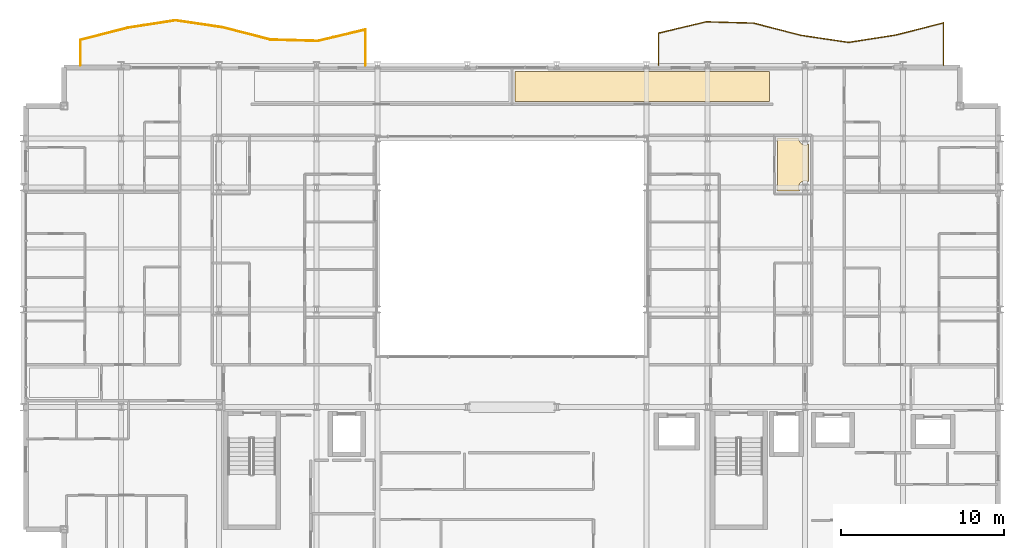
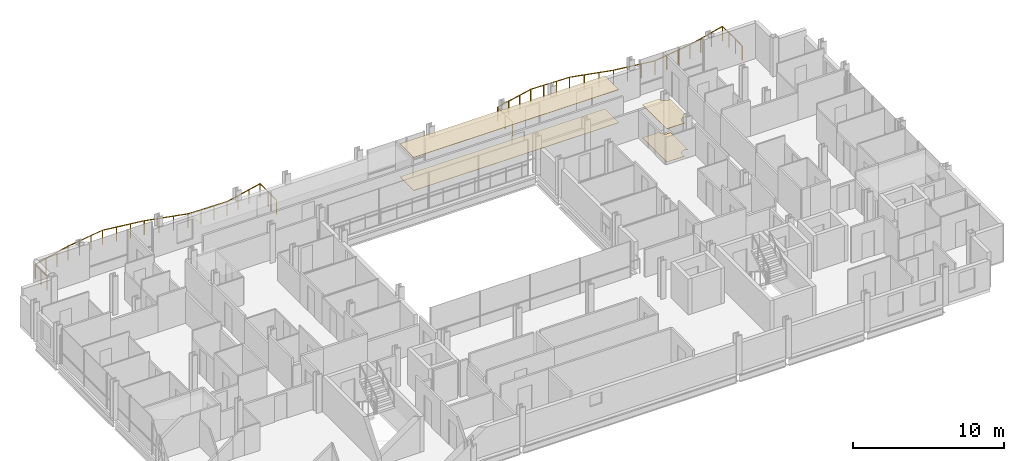
# One storey, part 41 of 41: 4 coverings, 2 railings.
"""IFC4 building model written with IfcOpenShell, lengths in metres."""

from ifc_helpers import new_model, si_unit, direction, frame, origin, origin_2d, place, context, subcontext, project, spatial, polyline, circle, outline, extrude, material, layer, layer_set, type_object, element, save


model = new_model("IFC4")

# Units and contexts
model_context = context("Model", 3, precision=1e-05, world=origin(), true_north=direction((0.0, 1.0)))
body_context = subcontext(model_context, "Body", "Model", "MODEL_VIEW")
ifc_project = project(units=[si_unit("LENGTHUNIT", "METRE"), si_unit("AREAUNIT", "SQUARE_METRE"), si_unit("VOLUMEUNIT", "CUBIC_METRE"), si_unit("PLANEANGLEUNIT", "RADIAN"), si_unit("MASSUNIT", "GRAM", prefix="KILO")], contexts=[model_context])

# Site, building, storey
site_placement = place(None, origin())
site = spatial("IfcSite", under=ifc_project, at=site_placement, CompositionType="ELEMENT")
building_placement = place(site_placement, origin())
building = spatial("IfcBuilding", under=site, at=building_placement, Name="Brevholm Reach", CompositionType="ELEMENT")
storey_placement = place(building_placement, frame((0.0, 0.0, 68.300048828125)))
storey = spatial("IfcBuildingStorey", under=building, at=storey_placement, Name="L19", CompositionType="ELEMENT", Elevation=68.300048828125)

# Coverings
ifc_material_1 = material(Name="Moisture-Resistant Skimmed Gypsum Plasterboard Ceiling", Category="gypsum")
ifc_layer_1 = layer(ifc_material_1, 0.030029296875)
ifc_layer_set_1 = layer_set([ifc_layer_1], Name="Moisture-Resistant Skimmed Gypsum Plasterboard Ceiling")
covering_type_1 = type_object("IfcCoveringType", Name="COV-CLG-GYP", PredefinedType="CEILING", material=ifc_layer_set_1)
covering_1_placement = place(storey_placement, frame((0.0, 0.0, 2.669921875)))
element("IfcCovering", 1, at=covering_1_placement, inside=storey, type_object=covering_type_1, Name="L19 Suspended Ceiling L19-62", PredefinedType="CEILING", context=body_context, shape_type="SweptSolid", body=[
    extrude(outline(polyline([(46.2919921875, 26.51611328125), (47.600830078125, 26.51611328125), (47.60009765625, 26.5), (47.601806640625, 26.460693359375), (47.607666015625, 26.422119140625), (47.6171875, 26.3837890625), (47.63037109375, 26.346923828125), (47.647216796875, 26.311279296875), (47.66748046875, 26.27783203125), (47.69091796875, 26.24609375), (47.71728515625, 26.21728515625), (47.74609375, 26.19091796875), (47.77783203125, 26.16748046875), (47.811279296875, 26.147216796875), (47.846923828125, 26.13037109375), (47.8837890625, 26.1171875), (47.922119140625, 26.107666015625), (47.960693359375, 26.101806640625), (48.0, 26.10009765625), (48.039306640625, 26.101806640625), (48.077880859375, 26.107666015625), (48.1162109375, 26.1171875), (48.153076171875, 26.13037109375), (48.188720703125, 26.147216796875), (48.216064453125, 26.163818359375), (48.216064453125, 23.836181640625), (48.188720703125, 23.852783203125), (48.153076171875, 23.86962890625), (48.1162109375, 23.8828125), (48.077880859375, 23.892333984375), (48.039306640625, 23.898193359375), (48.0, 23.89990234375), (47.960693359375, 23.898193359375), (47.922119140625, 23.892333984375), (47.8837890625, 23.8828125), (47.846923828125, 23.86962890625), (47.811279296875, 23.852783203125), (47.77783203125, 23.83251953125), (47.74609375, 23.80908203125), (47.71728515625, 23.78271484375), (47.69091796875, 23.75390625), (47.66748046875, 23.72216796875), (47.647216796875, 23.688720703125), (47.63037109375, 23.653076171875), (47.6171875, 23.6162109375), (47.607666015625, 23.577880859375), (47.601806640625, 23.539306640625), (47.60009765625, 23.5), (47.601806640625, 23.460693359375), (47.607666015625, 23.422119140625), (47.6171875, 23.3837890625), (47.63037109375, 23.346923828125), (47.647216796875, 23.311279296875), (47.666015625, 23.280029296875), (46.2919921875, 23.280029296875), (46.2919921875, 26.51611328125)])), origin(), (0.0, 0.0, 1.0), 0.030029296875),
])
covering_2_placement = place(storey_placement, frame((0.0, 0.0, 2.669921875)))
element("IfcCovering", 2, at=covering_2_placement, inside=storey, type_object=covering_type_1, Name="L19 Suspended Ceiling L19-79", PredefinedType="CEILING", context=body_context, shape_type="SweptSolid", body=[
    extrude(outline(polyline([(32.626220703125, 30.6201171875), (32.6337890625, 30.6171875), (32.672119140625, 30.607666015625), (32.710693359375, 30.601806640625), (32.75, 30.60009765625), (32.789306640625, 30.601806640625), (32.827880859375, 30.607666015625), (32.8662109375, 30.6171875), (32.873779296875, 30.6201171875), (38.126220703125, 30.6201171875), (38.1337890625, 30.6171875), (38.172119140625, 30.607666015625), (38.210693359375, 30.601806640625), (38.25, 30.60009765625), (38.289306640625, 30.601806640625), (38.327880859375, 30.607666015625), (38.3662109375, 30.6171875), (38.373779296875, 30.6201171875), (41.876220703125, 30.6201171875), (41.8837890625, 30.6171875), (41.922119140625, 30.607666015625), (41.960693359375, 30.601806640625), (42.0, 30.60009765625), (42.039306640625, 30.601806640625), (42.077880859375, 30.607666015625), (42.1162109375, 30.6171875), (42.123779296875, 30.6201171875), (45.820068359375, 30.6201171875), (45.820068359375, 28.783935546875), (30.18408203125, 28.783935546875), (30.18408203125, 30.6201171875), (32.626220703125, 30.6201171875)])), origin(), (0.0, 0.0, 1.0), 0.030029296875),
])
ifc_material_2 = material(Name="Engineered European Oak Acoustic Plank Flooring", Category="timber")
ifc_layer_2 = layer(ifc_material_2, 0.02197265625)
ifc_layer_set_2 = layer_set([ifc_layer_2], Name="Engineered European Oak Acoustic Plank Flooring")
covering_type_2 = type_object("IfcCoveringType", Name="COV-FLR-OAK", PredefinedType="FLOORING", material=ifc_layer_set_2)
covering_3_placement = place(storey_placement, origin())
element("IfcCovering", 3, at=covering_3_placement, inside=storey, type_object=covering_type_2, Name="L19 Floor Finish L19-62", PredefinedType="FLOORING", context=body_context, shape_type="SweptSolid", body=[
    extrude(outline(polyline([(46.2919921875, 26.51611328125), (47.600830078125, 26.51611328125), (47.60009765625, 26.5), (47.601806640625, 26.460693359375), (47.607666015625, 26.422119140625), (47.6171875, 26.3837890625), (47.63037109375, 26.346923828125), (47.647216796875, 26.311279296875), (47.66748046875, 26.27783203125), (47.69091796875, 26.24609375), (47.71728515625, 26.21728515625), (47.74609375, 26.19091796875), (47.77783203125, 26.16748046875), (47.811279296875, 26.147216796875), (47.846923828125, 26.13037109375), (47.8837890625, 26.1171875), (47.922119140625, 26.107666015625), (47.960693359375, 26.101806640625), (48.0, 26.10009765625), (48.039306640625, 26.101806640625), (48.077880859375, 26.107666015625), (48.1162109375, 26.1171875), (48.153076171875, 26.13037109375), (48.188720703125, 26.147216796875), (48.216064453125, 26.163818359375), (48.216064453125, 23.836181640625), (48.188720703125, 23.852783203125), (48.153076171875, 23.86962890625), (48.1162109375, 23.8828125), (48.077880859375, 23.892333984375), (48.039306640625, 23.898193359375), (48.0, 23.89990234375), (47.960693359375, 23.898193359375), (47.922119140625, 23.892333984375), (47.8837890625, 23.8828125), (47.846923828125, 23.86962890625), (47.811279296875, 23.852783203125), (47.77783203125, 23.83251953125), (47.74609375, 23.80908203125), (47.71728515625, 23.78271484375), (47.69091796875, 23.75390625), (47.66748046875, 23.72216796875), (47.647216796875, 23.688720703125), (47.63037109375, 23.653076171875), (47.6171875, 23.6162109375), (47.607666015625, 23.577880859375), (47.601806640625, 23.539306640625), (47.60009765625, 23.5), (47.601806640625, 23.460693359375), (47.607666015625, 23.422119140625), (47.6171875, 23.3837890625), (47.63037109375, 23.346923828125), (47.647216796875, 23.311279296875), (47.666015625, 23.280029296875), (46.2919921875, 23.280029296875), (46.2919921875, 26.51611328125)])), origin(), (0.0, 0.0, 1.0), 0.02197265625),
])
ifc_material_3 = material(Name="Honed Portland-Aggregate Resin Terrazzo Flooring", Category="concrete")
ifc_layer_3 = layer(ifc_material_3, 0.031982421875)
ifc_layer_set_3 = layer_set([ifc_layer_3], Name="Honed Portland-Aggregate Resin Terrazzo Flooring")
covering_type_3 = type_object("IfcCoveringType", Name="COV-FLR-TRZ", PredefinedType="FLOORING", material=ifc_layer_set_3)
covering_4_placement = place(storey_placement, origin())
element("IfcCovering", 4, at=covering_4_placement, inside=storey, type_object=covering_type_3, Name="L19 Floor Finish L19-79", PredefinedType="FLOORING", context=body_context, shape_type="SweptSolid", body=[
    extrude(outline(polyline([(32.626220703125, 30.6201171875), (32.6337890625, 30.6171875), (32.672119140625, 30.607666015625), (32.710693359375, 30.601806640625), (32.75, 30.60009765625), (32.789306640625, 30.601806640625), (32.827880859375, 30.607666015625), (32.8662109375, 30.6171875), (32.873779296875, 30.6201171875), (38.126220703125, 30.6201171875), (38.1337890625, 30.6171875), (38.172119140625, 30.607666015625), (38.210693359375, 30.601806640625), (38.25, 30.60009765625), (38.289306640625, 30.601806640625), (38.327880859375, 30.607666015625), (38.3662109375, 30.6171875), (38.373779296875, 30.6201171875), (41.876220703125, 30.6201171875), (41.8837890625, 30.6171875), (41.922119140625, 30.607666015625), (41.960693359375, 30.601806640625), (42.0, 30.60009765625), (42.039306640625, 30.601806640625), (42.077880859375, 30.607666015625), (42.1162109375, 30.6171875), (42.123779296875, 30.6201171875), (45.820068359375, 30.6201171875), (45.820068359375, 28.783935546875), (30.18408203125, 28.783935546875), (30.18408203125, 30.6201171875), (32.626220703125, 30.6201171875)])), origin(), (0.0, 0.0, 1.0), 0.031982421875),
])

# Railings
ifc_material_4 = material(Name="Brushed Stainless Steel EN 1.4401 and Laminated Glass", Category="steel")
railing_type = type_object("IfcRailingType", Name="RAL-BALC-1150", PredefinedType="BALUSTRADE", material=ifc_material_4)
railing_1_placement = place(storey_placement, frame((56.5, 31.0, 0.0)))
element("IfcRailing", 5, at=railing_1_placement, inside=storey, type_object=railing_type, Name="L19 Guard Balustrade RAL-L19-BAL-NE", PredefinedType="BALUSTRADE", context=body_context, shape_type="SweptSolid", body=[
    extrude(circle(Radius=0.02392578125, at=origin_2d()), frame((0.0, 0.0, 1.1259765625), z_axis=(0.0, 1.0, 0.0), x_axis=(-1.0, 0.0, 0.0)), (0.0, 0.0, 1.0), 2.599609375),
    extrude(circle(Radius=0.02392578125, at=origin_2d()), frame((0.0, 2.599609375, 1.1259765625), z_axis=(-0.968942936238, -0.247284423921, 0.0), x_axis=(0.247284423921, -0.968942936238, 0.0)), (0.0, 0.0, 1.0), 3.01025390625),
    extrude(circle(Radius=0.02392578125, at=origin_2d()), frame((-2.916748046875, 1.855224609375, 1.1259765625), z_axis=(-0.988044338858, -0.154169985571, 0.0), x_axis=(0.154169985571, -0.988044338858, 0.0)), (0.0, 0.0, 1.0), 2.951904296875),
    extrude(circle(Radius=0.02392578125, at=origin_2d()), frame((-5.833251953125, 1.400146484375, 1.1259765625), z_axis=(-0.98916653389, 0.146797711943, 0.0), x_axis=(-0.146797711943, -0.98916653389, 0.0)), (0.0, 0.0, 1.0), 2.94873046875),
    extrude(circle(Radius=0.02392578125, at=origin_2d()), frame((-8.75, 1.8330078125, 1.1259765625), z_axis=(-0.968377202247, 0.2494906695, 0.0), x_axis=(-0.2494906695, -0.968377202247, 0.0)), (0.0, 0.0, 1.0), 3.011962890625),
    extrude(circle(Radius=0.02392578125, at=origin_2d()), frame((-11.666748046875, 2.58447265625, 1.1259765625), z_axis=(-0.99961635372, 0.027697389342, 0.0), x_axis=(-0.027697389342, -0.99961635372, 0.0)), (0.0, 0.0, 1.0), 2.917724609375),
    extrude(circle(Radius=0.02392578125, at=origin_2d()), frame((-14.583251953125, 2.665283203125, 1.1259765625), z_axis=(-0.972705660557, -0.23204244853, 0.0), x_axis=(0.23204244853, -0.972705660557, 0.0)), (0.0, 0.0, 1.0), 2.99853515625),
    extrude(circle(Radius=0.02392578125, at=origin_2d()), frame((-17.5, 1.969482421875, 1.1259765625), z_axis=(0.0, -1.0, 0.0), x_axis=(1.0, 0.0, 0.0)), (0.0, 0.0, 1.0), 1.969482421875),
    extrude(circle(Radius=0.02099609375, at=origin_2d()), origin(), (0.0, 0.0, 1.0), 1.101806640625),
    extrude(circle(Radius=0.02099609375, at=origin_2d()), frame((0.0, 0.866455078125, 0.0)), (0.0, 0.0, 1.0), 1.101806640625),
    extrude(circle(Radius=0.02099609375, at=origin_2d()), frame((0.0, 1.733154296875, 0.0)), (0.0, 0.0, 1.0), 1.101806640625),
    extrude(circle(Radius=0.02099609375, at=origin_2d()), frame((0.0, 2.599609375, 0.0)), (0.0, 0.0, 1.0), 1.101806640625),
    extrude(circle(Radius=0.02099609375, at=origin_2d()), frame((-0.97216796875, 2.3515625, 0.0)), (0.0, 0.0, 1.0), 1.101806640625),
    extrude(circle(Radius=0.02099609375, at=origin_2d()), frame((-1.944580078125, 2.103271484375, 0.0)), (0.0, 0.0, 1.0), 1.101806640625),
    extrude(circle(Radius=0.02099609375, at=origin_2d()), frame((-2.916748046875, 1.855224609375, 0.0)), (0.0, 0.0, 1.0), 1.101806640625),
    extrude(circle(Radius=0.02099609375, at=origin_2d()), frame((-3.888916015625, 1.70361328125, 0.0)), (0.0, 0.0, 1.0), 1.101806640625),
    extrude(circle(Radius=0.02099609375, at=origin_2d()), frame((-4.861083984375, 1.5517578125, 0.0)), (0.0, 0.0, 1.0), 1.101806640625),
    extrude(circle(Radius=0.02099609375, at=origin_2d()), frame((-5.833251953125, 1.400146484375, 0.0)), (0.0, 0.0, 1.0), 1.101806640625),
    extrude(circle(Radius=0.02099609375, at=origin_2d()), frame((-6.805419921875, 1.54443359375, 0.0)), (0.0, 0.0, 1.0), 1.101806640625),
    extrude(circle(Radius=0.02099609375, at=origin_2d()), frame((-7.77783203125, 1.688720703125, 0.0)), (0.0, 0.0, 1.0), 1.101806640625),
    extrude(circle(Radius=0.02099609375, at=origin_2d()), frame((-8.75, 1.8330078125, 0.0)), (0.0, 0.0, 1.0), 1.101806640625),
    extrude(circle(Radius=0.02099609375, at=origin_2d()), frame((-9.72216796875, 2.08349609375, 0.0)), (0.0, 0.0, 1.0), 1.101806640625),
    extrude(circle(Radius=0.02099609375, at=origin_2d()), frame((-10.694580078125, 2.333984375, 0.0)), (0.0, 0.0, 1.0), 1.101806640625),
    extrude(circle(Radius=0.02099609375, at=origin_2d()), frame((-11.666748046875, 2.58447265625, 0.0)), (0.0, 0.0, 1.0), 1.101806640625),
    extrude(circle(Radius=0.02099609375, at=origin_2d()), frame((-12.638916015625, 2.611328125, 0.0)), (0.0, 0.0, 1.0), 1.101806640625),
    extrude(circle(Radius=0.02099609375, at=origin_2d()), frame((-13.611083984375, 2.638427734375, 0.0)), (0.0, 0.0, 1.0), 1.101806640625),
    extrude(circle(Radius=0.02099609375, at=origin_2d()), frame((-14.583251953125, 2.665283203125, 0.0)), (0.0, 0.0, 1.0), 1.101806640625),
    extrude(circle(Radius=0.02099609375, at=origin_2d()), frame((-15.555419921875, 2.433349609375, 0.0)), (0.0, 0.0, 1.0), 1.101806640625),
    extrude(circle(Radius=0.02099609375, at=origin_2d()), frame((-16.52783203125, 2.201416015625, 0.0)), (0.0, 0.0, 1.0), 1.101806640625),
    extrude(circle(Radius=0.02099609375, at=origin_2d()), frame((-17.5, 1.969482421875, 0.0)), (0.0, 0.0, 1.0), 1.101806640625),
    extrude(circle(Radius=0.02099609375, at=origin_2d()), frame((-17.5, 0.98486328125, 0.0)), (0.0, 0.0, 1.0), 1.101806640625),
    extrude(circle(Radius=0.02099609375, at=origin_2d()), frame((-17.5, 0.0, 0.0)), (0.0, 0.0, 1.0), 1.101806640625),
])
railing_2_placement = place(storey_placement, frame((21.0, 31.0, 0.0)))
element("IfcRailing", 6, at=railing_2_placement, inside=storey, type_object=railing_type, Name="L19 Guard Balustrade RAL-L19-BAL-NW", PredefinedType="BALUSTRADE", context=body_context, shape_type="SweptSolid", body=[
    extrude(circle(Radius=0.02392578125, at=origin_2d()), frame((0.0, 0.0, 1.1259765625), z_axis=(0.0, 1.0, 0.0), x_axis=(-1.0, 0.0, 0.0)), (0.0, 0.0, 1.0), 2.1806640625),
    extrude(circle(Radius=0.02392578125, at=origin_2d()), frame((0.0, 2.1806640625, 1.1259765625), z_axis=(-0.972687280988, -0.232119480882, 0.0), x_axis=(0.232119480882, -0.972687280988, 0.0)), (0.0, 0.0, 1.0), 2.99853515625),
    extrude(circle(Radius=0.02392578125, at=origin_2d()), frame((-2.916748046875, 1.484619140625, 1.1259765625), z_axis=(-0.999614033457, 0.027781002771, 0.0), x_axis=(-0.027781002771, -0.999614033457, 0.0)), (0.0, 0.0, 1.0), 2.917724609375),
    extrude(circle(Radius=0.02392578125, at=origin_2d()), frame((-5.833251953125, 1.565673828125, 1.1259765625), z_axis=(-0.968396782901, 0.249414656482, 0.0), x_axis=(-0.249414656482, -0.968396782901, 0.0)), (0.0, 0.0, 1.0), 3.011962890625),
    extrude(circle(Radius=0.02392578125, at=origin_2d()), frame((-8.75, 2.31689453125, 1.1259765625), z_axis=(-0.989154508095, 0.146878722471, 0.0), x_axis=(-0.146878722471, -0.989154508095, 0.0)), (0.0, 0.0, 1.0), 2.94873046875),
    extrude(circle(Radius=0.02392578125, at=origin_2d()), frame((-11.666748046875, 2.75, 1.1259765625), z_axis=(-0.988044338858, -0.154169985571, 0.0), x_axis=(0.154169985571, -0.988044338858, 0.0)), (0.0, 0.0, 1.0), 2.951904296875),
    extrude(circle(Radius=0.02392578125, at=origin_2d()), frame((-14.583251953125, 2.294921875, 1.1259765625), z_axis=(-0.968923500885, -0.24736056564, 0.0), x_axis=(0.24736056564, -0.968923500885, 0.0)), (0.0, 0.0, 1.0), 3.01025390625),
    extrude(circle(Radius=0.02392578125, at=origin_2d()), frame((-17.5, 1.55029296875, 1.1259765625), z_axis=(0.0, -1.0, 0.0), x_axis=(1.0, 0.0, 0.0)), (0.0, 0.0, 1.0), 1.55029296875),
    extrude(circle(Radius=0.02099609375, at=origin_2d()), origin(), (0.0, 0.0, 1.0), 1.101806640625),
    extrude(circle(Radius=0.02099609375, at=origin_2d()), frame((0.0, 1.09033203125, 0.0)), (0.0, 0.0, 1.0), 1.101806640625),
    extrude(circle(Radius=0.02099609375, at=origin_2d()), frame((0.0, 2.1806640625, 0.0)), (0.0, 0.0, 1.0), 1.101806640625),
    extrude(circle(Radius=0.02099609375, at=origin_2d()), frame((-0.97216796875, 1.94873046875, 0.0)), (0.0, 0.0, 1.0), 1.101806640625),
    extrude(circle(Radius=0.02099609375, at=origin_2d()), frame((-1.944580078125, 1.716552734375, 0.0)), (0.0, 0.0, 1.0), 1.101806640625),
    extrude(circle(Radius=0.02099609375, at=origin_2d()), frame((-2.916748046875, 1.484619140625, 0.0)), (0.0, 0.0, 1.0), 1.101806640625),
    extrude(circle(Radius=0.02099609375, at=origin_2d()), frame((-3.888916015625, 1.51171875, 0.0)), (0.0, 0.0, 1.0), 1.101806640625),
    extrude(circle(Radius=0.02099609375, at=origin_2d()), frame((-4.861083984375, 1.53857421875, 0.0)), (0.0, 0.0, 1.0), 1.101806640625),
    extrude(circle(Radius=0.02099609375, at=origin_2d()), frame((-5.833251953125, 1.565673828125, 0.0)), (0.0, 0.0, 1.0), 1.101806640625),
    extrude(circle(Radius=0.02099609375, at=origin_2d()), frame((-6.805419921875, 1.816162109375, 0.0)), (0.0, 0.0, 1.0), 1.101806640625),
    extrude(circle(Radius=0.02099609375, at=origin_2d()), frame((-7.77783203125, 2.06640625, 0.0)), (0.0, 0.0, 1.0), 1.101806640625),
    extrude(circle(Radius=0.02099609375, at=origin_2d()), frame((-8.75, 2.31689453125, 0.0)), (0.0, 0.0, 1.0), 1.101806640625),
    extrude(circle(Radius=0.02099609375, at=origin_2d()), frame((-9.72216796875, 2.461181640625, 0.0)), (0.0, 0.0, 1.0), 1.101806640625),
    extrude(circle(Radius=0.02099609375, at=origin_2d()), frame((-10.694580078125, 2.605712890625, 0.0)), (0.0, 0.0, 1.0), 1.101806640625),
    extrude(circle(Radius=0.02099609375, at=origin_2d()), frame((-11.666748046875, 2.75, 0.0)), (0.0, 0.0, 1.0), 1.101806640625),
    extrude(circle(Radius=0.02099609375, at=origin_2d()), frame((-12.638916015625, 2.598388671875, 0.0)), (0.0, 0.0, 1.0), 1.101806640625),
    extrude(circle(Radius=0.02099609375, at=origin_2d()), frame((-13.611083984375, 2.446533203125, 0.0)), (0.0, 0.0, 1.0), 1.101806640625),
    extrude(circle(Radius=0.02099609375, at=origin_2d()), frame((-14.583251953125, 2.294921875, 0.0)), (0.0, 0.0, 1.0), 1.101806640625),
    extrude(circle(Radius=0.02099609375, at=origin_2d()), frame((-15.555419921875, 2.046630859375, 0.0)), (0.0, 0.0, 1.0), 1.101806640625),
    extrude(circle(Radius=0.02099609375, at=origin_2d()), frame((-16.52783203125, 1.798583984375, 0.0)), (0.0, 0.0, 1.0), 1.101806640625),
    extrude(circle(Radius=0.02099609375, at=origin_2d()), frame((-17.5, 1.55029296875, 0.0)), (0.0, 0.0, 1.0), 1.101806640625),
    extrude(circle(Radius=0.02099609375, at=origin_2d()), frame((-17.5, 0.775146484375, 0.0)), (0.0, 0.0, 1.0), 1.101806640625),
    extrude(circle(Radius=0.02099609375, at=origin_2d()), frame((-17.5, 0.0, 0.0)), (0.0, 0.0, 1.0), 1.101806640625),
])

save(model, "model.ifc")
